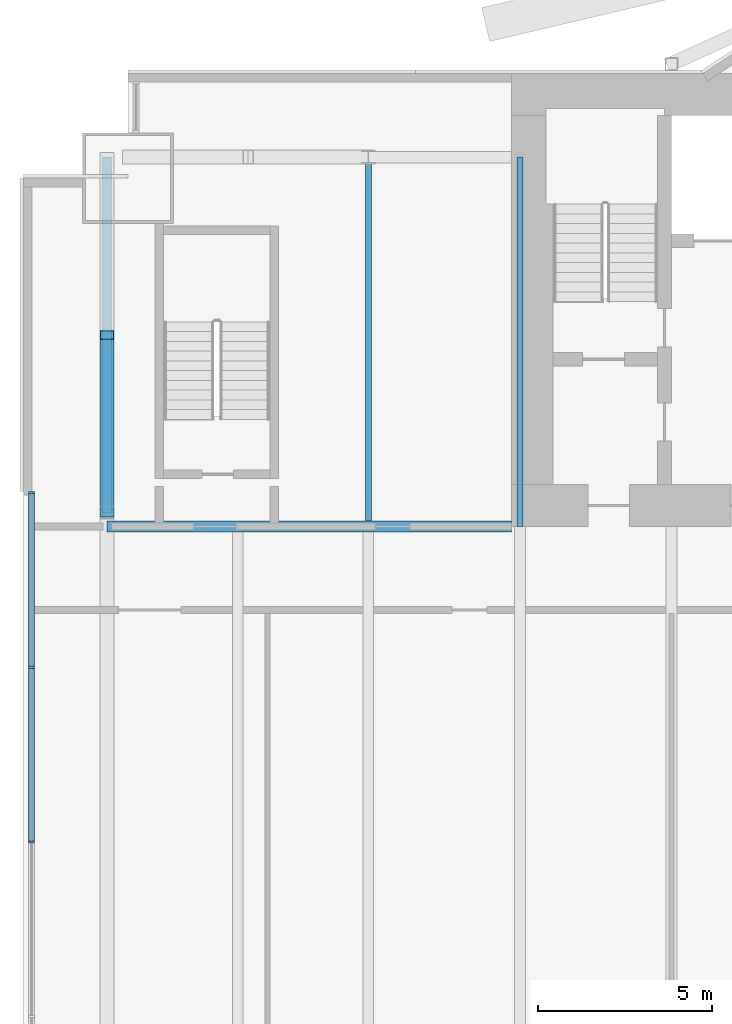
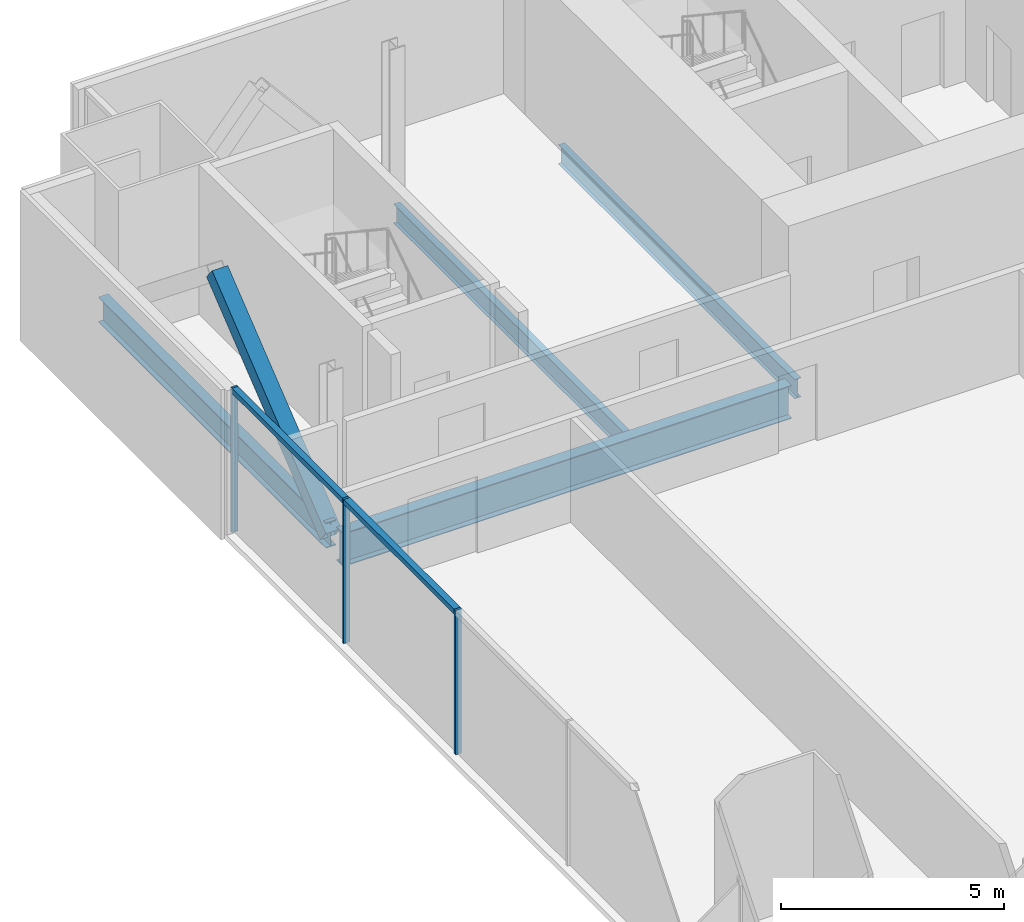
# One storey, part 8 of 23: 6 members, 4 beams, 1 element without a shape of its own.
"""IFC4 building model written with IfcOpenShell, lengths in metres."""

from ifc_helpers import new_model, si_unit, direction, frame, origin, origin_2d, place, context, subcontext, project, spatial, rectangle, hollow_rectangle, i_section, extrude, material, material_profile, profile_set, type_object, element, aggregate, save


model = new_model("IFC4")

# Units and contexts
model_context = context("Model", 3, precision=1e-05, world=origin(), true_north=direction((0.0, 1.0)))
body_context = subcontext(model_context, "Body", "Model", "MODEL_VIEW")
ifc_project = project(units=[si_unit("LENGTHUNIT", "METRE"), si_unit("AREAUNIT", "SQUARE_METRE"), si_unit("VOLUMEUNIT", "CUBIC_METRE"), si_unit("PLANEANGLEUNIT", "RADIAN"), si_unit("MASSUNIT", "GRAM", prefix="KILO")], contexts=[model_context])

# Site, building, storey
site_placement = place(None, origin())
site = spatial("IfcSite", under=ifc_project, at=site_placement, CompositionType="ELEMENT")
building_placement = place(site_placement, origin())
building = spatial("IfcBuilding", under=site, at=building_placement, Name="Bicima Exchange Tower", CompositionType="ELEMENT")
storey_placement = place(building_placement, frame((0.0, 0.0, 152.699951171875)))
storey = spatial("IfcBuildingStorey", under=building, at=storey_placement, Name="L33", CompositionType="ELEMENT", Elevation=152.699951171875)

# Beam
ifc_material_1 = material(Name="Steel ASTM A992 Gr 50", Category="steel")
ifc_material_profile_1 = material_profile(ifc_material_1, i_section(OverallWidth=0.3046875, OverallDepth=0.911865234375, WebThickness=0.015869140625, FlangeThickness=0.02392578125, at=origin_2d()))
ifc_profile_set_1 = profile_set([ifc_material_profile_1], Name="Steel ASTM A992 Gr 50")
beam_type_1 = type_object("IfcBeamType", Name="Core-line girder W36x150", PredefinedType="BEAM", material=ifc_profile_set_1)
beam_1_placement = place(storey_placement, frame((-22.0, -13.0, -0.60595703125), z_axis=(-1.0, 0.0, 0.0), x_axis=(0.0, -1.0, 0.0)))
element("IfcBeam", 1, at=beam_1_placement, inside=storey, type_object=beam_type_1, Name="Core-line girder", PredefinedType="BEAM", context=body_context, shape_type="SweptSolid", body=[
    extrude(i_section(OverallWidth=0.3046875, OverallDepth=0.911865234375, WebThickness=0.015869140625, FlangeThickness=0.02392578125, at=origin_2d()), origin(), (0.0, 0.0, 1.0), 11.60009765625),
])

# Curtain wall, members
ifc_material_2 = material(Name="Anodised bronze aluminium", Category="aluminium")
curtain_wall_type = type_object("IfcCurtainWallType", Name="End face glass wall", PredefinedType="NOTDEFINED", material=ifc_material_2)
curtain_wall_placement = place(storey_placement, origin())
curtain_wall = element("IfcCurtainWall", 2, at=curtain_wall_placement, inside=storey, type_object=curtain_wall_type, Name="End face glass wall L33 run 2", PredefinedType="NOTDEFINED")
ifc_material_profile_2 = material_profile(ifc_material_2, rectangle(XDim=0.159912109375, YDim=0.06005859375, at=origin_2d()))
ifc_profile_set_2 = profile_set([ifc_material_profile_2], Name="Anodised bronze aluminium")
member_type_1 = type_object("IfcMemberType", Name="End face glass wall mullion 60 x 160", PredefinedType="MULLION", material=ifc_profile_set_2)
member_1_placement = place(storey_placement, frame((-35.77001953125, -12.030029296875, 0.0), z_axis=(0.0, 0.0, 1.0), x_axis=(1.0, 0.0, 0.0)))
member_1 = element("IfcMember", 3, at=member_1_placement, type_object=member_type_1, Name="End face glass wall mullion 1", PredefinedType="MULLION", context=body_context, shape_type="SweptSolid", body=[
    extrude(rectangle(XDim=0.159912109375, YDim=0.06005859375, at=origin_2d()), origin(), (0.0, 0.0, 1.0), 3.949951171875),
])
member_2_placement = place(storey_placement, frame((-35.77001953125, -17.04052734375, 0.0), z_axis=(0.0, 0.0, 1.0), x_axis=(1.0, 0.0, 0.0)))
member_2 = element("IfcMember", 4, at=member_2_placement, type_object=member_type_1, Name="End face glass wall mullion 2", PredefinedType="MULLION", context=body_context, shape_type="SweptSolid", body=[
    extrude(rectangle(XDim=0.159912109375, YDim=0.06005859375, at=origin_2d()), origin(), (0.0, 0.0, 1.0), 3.949951171875),
])
member_3_placement = place(storey_placement, frame((-35.77001953125, -22.051025390625, 0.0), z_axis=(0.0, 0.0, 1.0), x_axis=(1.0, 0.0, 0.0)))
member_3 = element("IfcMember", 5, at=member_3_placement, type_object=member_type_1, Name="End face glass wall mullion 3", PredefinedType="MULLION", context=body_context, shape_type="SweptSolid", body=[
    extrude(rectangle(XDim=0.159912109375, YDim=0.06005859375, at=origin_2d()), origin(), (0.0, 0.0, 1.0), 3.949951171875),
])
ifc_material_profile_3 = material_profile(ifc_material_2, rectangle(XDim=0.159912109375, YDim=0.139892578125, at=origin_2d()))
ifc_profile_set_3 = profile_set([ifc_material_profile_3], Name="Anodised bronze aluminium")
member_type_2 = type_object("IfcMemberType", Name="End face glass wall transom 140 x 160", PredefinedType="USERDEFINED", material=ifc_profile_set_3)
member_4_placement = place(storey_placement, frame((-35.77001953125, -12.06005859375, 3.880126953125), z_axis=(0.0, -1.0, 0.0), x_axis=(1.0, 0.0, 0.0)))
member_4 = element("IfcMember", 6, at=member_4_placement, type_object=member_type_2, Name="End face glass wall transom 1.1", ObjectType="TRANSOM", PredefinedType="USERDEFINED", context=body_context, shape_type="SweptSolid", body=[
    extrude(rectangle(XDim=0.159912109375, YDim=0.139892578125, at=origin_2d()), origin(), (0.0, 0.0, 1.0), 4.950439453125),
])
member_5_placement = place(storey_placement, frame((-35.77001953125, -17.070556640625, 3.880126953125), z_axis=(0.0, -1.0, 0.0), x_axis=(1.0, 0.0, 0.0)))
member_5 = element("IfcMember", 7, at=member_5_placement, type_object=member_type_2, Name="End face glass wall transom 2.1", ObjectType="TRANSOM", PredefinedType="USERDEFINED", context=body_context, shape_type="SweptSolid", body=[
    extrude(rectangle(XDim=0.159912109375, YDim=0.139892578125, at=origin_2d()), origin(), (0.0, 0.0, 1.0), 4.950439453125),
])
aggregate(curtain_wall, [member_1, member_2, member_3, member_4, member_5])

# Beams
ifc_material_profile_4 = material_profile(ifc_material_1, i_section(OverallWidth=0.256591796875, OverallDepth=0.693359375, WebThickness=0.014404296875, FlangeThickness=0.023681640625, at=origin_2d()))
ifc_profile_set_4 = profile_set([ifc_material_profile_4], Name="Steel ASTM A992 Gr 50")
beam_type_2 = type_object("IfcBeamType", Name="End girder W27x114", PredefinedType="BEAM", material=ifc_profile_set_4)
beam_2_placement = place(storey_placement, frame((-33.60009765625, -2.39990234375, -0.49658203125), z_axis=(0.0, -1.0, 0.0), x_axis=(1.0, 0.0, 0.0)))
element("IfcBeam", 8, at=beam_2_placement, inside=storey, type_object=beam_type_2, Name="End girder", PredefinedType="BEAM", context=body_context, shape_type="SweptSolid", body=[
    extrude(i_section(OverallWidth=0.256591796875, OverallDepth=0.693359375, WebThickness=0.014404296875, FlangeThickness=0.023681640625, at=origin_2d()), origin(), (0.0, 0.0, 1.0), 10.2001953125),
])
ifc_material_profile_5 = material_profile(ifc_material_1, i_section(OverallWidth=0.165771484375, OverallDepth=0.5283203125, WebThickness=0.009765625, FlangeThickness=0.013671875, at=origin_2d()))
ifc_profile_set_5 = profile_set([ifc_material_profile_5], Name="Steel ASTM A992 Gr 50")
beam_type_3 = type_object("IfcBeamType", Name="Floor beam W21x50", PredefinedType="JOIST", material=ifc_profile_set_5)
beam_3_placement = place(storey_placement, frame((-26.10009765625, -2.5625, -0.4140625), z_axis=(0.0, -1.0, 0.0), x_axis=(1.0, 0.0, 0.0)))
element("IfcBeam", 9, at=beam_3_placement, inside=storey, type_object=beam_type_3, Name="Floor beam", PredefinedType="JOIST", context=body_context, shape_type="SweptSolid", body=[
    extrude(i_section(OverallWidth=0.165771484375, OverallDepth=0.5283203125, WebThickness=0.009765625, FlangeThickness=0.013671875, at=origin_2d()), origin(), (0.0, 0.0, 1.0), 10.28515625),
])
beam_4_placement = place(storey_placement, frame((-21.75, -2.39990234375, -0.4140625), z_axis=(0.0, -1.0, 0.0), x_axis=(1.0, 0.0, 0.0)))
element("IfcBeam", 10, at=beam_4_placement, inside=storey, type_object=beam_type_3, Name="Floor beam", PredefinedType="JOIST", context=body_context, shape_type="SweptSolid", body=[
    extrude(i_section(OverallWidth=0.165771484375, OverallDepth=0.5283203125, WebThickness=0.009765625, FlangeThickness=0.013671875, at=origin_2d()), origin(), (0.0, 0.0, 1.0), 10.60009765625),
])

# Member
ifc_material_3 = material(Name="Steel ASTM A572 Gr 50", Category="steel")
ifc_material_profile_6 = material_profile(ifc_material_3, hollow_rectangle(XDim=0.406494140625, YDim=0.406494140625, WallThickness=0.017822265625, at=origin_2d()))
ifc_profile_set_6 = profile_set([ifc_material_profile_6], Name="Steel ASTM A572 Gr 50")
member_type_3 = type_object("IfcMemberType", Name="Mega brace HSS16x16x3/4", PredefinedType="BRACE", material=ifc_profile_set_6)
member_6_placement = place(storey_placement, frame((-33.60009765625, -12.60009765625, -0.49658203125), z_axis=(0.0, 0.779392460608, 0.626536026376), x_axis=(-1.0, 0.0, 0.0)))
element("IfcMember", 11, at=member_6_placement, inside=storey, type_object=member_type_3, Name="Mega brace west end", PredefinedType="BRACE", context=body_context, shape_type="SweptSolid", body=[
    extrude(hollow_rectangle(XDim=0.406494140625, YDim=0.406494140625, WallThickness=0.017822265625, at=origin_2d()), origin(), (0.0, 0.0, 1.0), 6.543701171875),
])

save(model, "model.ifc")
